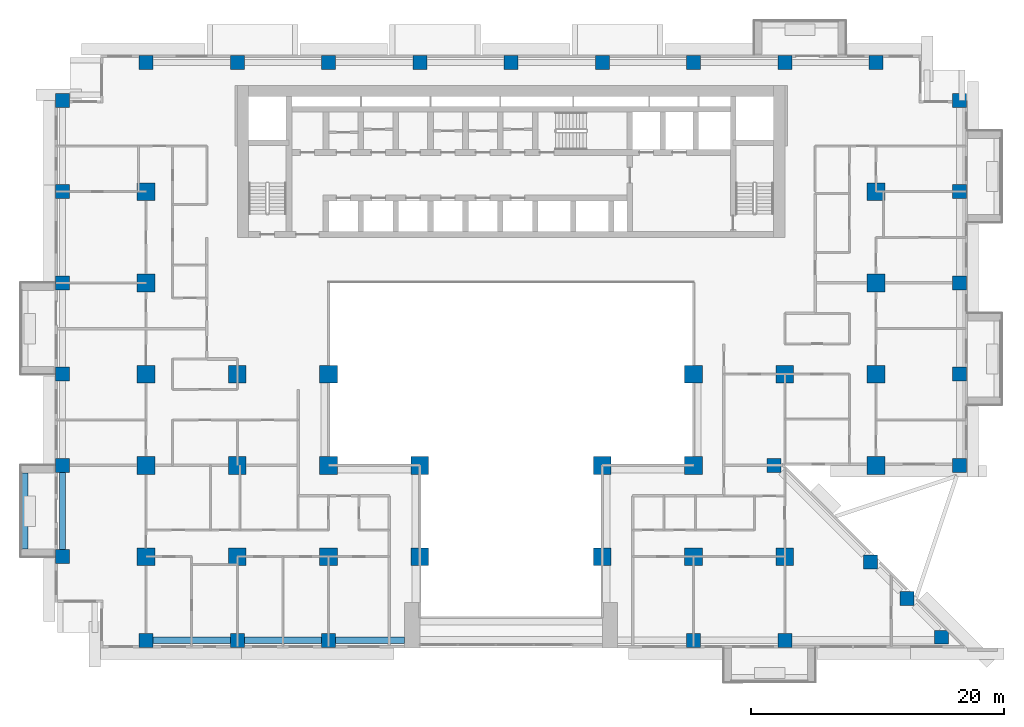
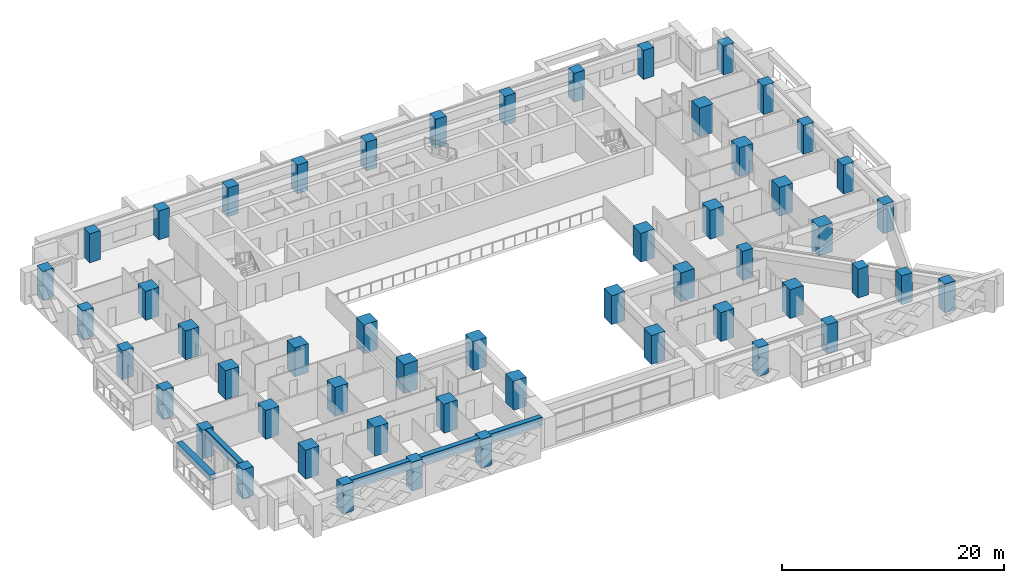
# One storey, part 1 of 16: 53 columns, 5 beams.
"""IFC4 building model written with IfcOpenShell, lengths in metres."""

from ifc_helpers import new_model, si_unit, direction, frame, origin, origin_2d, place, context, subcontext, project, spatial, rectangle, extrude, source, transform, mapped, material, material_profile, profile_set, type_object, element, save


model = new_model("IFC4")

# Units and contexts
model_context = context("Model", 3, precision=1e-05, world=origin(), true_north=direction((0.0, 1.0)))
body_context = subcontext(model_context, "Body", "Model", "MODEL_VIEW")
ifc_project = project(units=[si_unit("LENGTHUNIT", "METRE"), si_unit("AREAUNIT", "SQUARE_METRE"), si_unit("VOLUMEUNIT", "CUBIC_METRE"), si_unit("PLANEANGLEUNIT", "RADIAN"), si_unit("MASSUNIT", "GRAM", prefix="KILO")], contexts=[model_context])

# Site, building, storey
site_placement = place(None, origin())
site = spatial("IfcSite", under=ifc_project, at=site_placement, CompositionType="ELEMENT")
building_placement = place(site_placement, origin())
building = spatial("IfcBuilding", under=site, at=building_placement, Name="Saffron Iwan Residences", CompositionType="ELEMENT")
storey_placement = place(building_placement, frame((0.0, 0.0, 48.0)))
storey = spatial("IfcBuildingStorey", under=building, at=storey_placement, Name="L11", CompositionType="ELEMENT", Elevation=48.0)

# Columns
ifc_material_1 = material(Name="Concrete C60/75", Category="concrete")
ifc_material_profile_1 = material_profile(ifc_material_1, rectangle(XDim=1.10009765625, YDim=1.10009765625, at=origin_2d()), Name="RC 1100x1100")
ifc_profile_set_1 = profile_set([ifc_material_profile_1], Name="Concrete C60/75")
column_type_1 = type_object("IfcColumnType", Name="COL RC 1100x1100 C60/75 3180 HIGH", PredefinedType="COLUMN", material=ifc_profile_set_1)
shared_shape_1 = source(origin(), body_context, "Body", "SweptSolid", [
    extrude(rectangle(XDim=1.10009765625, YDim=1.10009765625, at=origin_2d()), origin(), (0.0, 0.0, 1.0), 3.179931640625),
])
for number, where, z_axis, x_axis, name in (
    (1, (21.60009765625, 34.199951171875, 0.0), (0.0, 0.0, 1.0), (1.0, 0.0, 0.0), "Column C038"),
    (2, (28.800048828125, 34.199951171875, 0.0), (0.0, 0.0, 1.0), (1.0, 0.0, 0.0), "Column C039"),
    (3, (36.0, 34.199951171875, 0.0), (0.0, 0.0, 1.0), (1.0, 0.0, 0.0), "Column C040"),
    (4, (64.800048828125, 34.199951171875, 0.0), (0.0, 0.0, 1.0), (1.0, 0.0, 0.0), "Column C041"),
    (5, (72.0, 34.199951171875, 0.0), (0.0, 0.0, 1.0), (1.0, 0.0, 0.0), "Column C042"),
    (6, (84.367431640625, 34.44189453125, 0.0), (0.0, 0.0, 1.0), (1.0, 0.0, 0.0), "Column C043"),
    (7, (81.65576171875, 37.49560546875, 0.0), (0.0, 0.0, 1.0), (1.0, 0.0, 0.0), "Column C044"),
    (8, (78.775634765625, 40.375732421875, 0.0), (0.0, 0.0, 1.0), (1.0, 0.0, 0.0), "Column C047"),
    (9, (15.0, 40.800048828125, 0.0), (0.0, 0.0, 1.0), (1.0, 0.0, 0.0), "Column C048"),
    (10, (15.0, 48.0, 0.0), (0.0, 0.0, 1.0), (1.0, 0.0, 0.0), "Column C061"),
    (11, (71.14990234375, 48.0, 0.0), (0.0, 0.0, 1.0), (1.0, 0.0, 0.0), "Column C070"),
    (12, (85.800048828125, 48.0, 0.0), (0.0, 0.0, 1.0), (1.0, 0.0, 0.0), "Column C074"),
    (13, (15.0, 55.199951171875, 0.0), (0.0, 0.0, 1.0), (1.0, 0.0, 0.0), "Column C077"),
    (14, (85.800048828125, 55.199951171875, 0.0), (0.0, 0.0, 1.0), (1.0, 0.0, 0.0), "Column C086"),
    (15, (15.0, 62.39990234375, 0.0), (0.0, 0.0, 1.0), (1.0, 0.0, 0.0), "Column C089"),
    (16, (85.800048828125, 62.39990234375, 0.0), (0.0, 0.0, 1.0), (1.0, 0.0, 0.0), "Column C094"),
    (17, (15.0, 69.60009765625, 0.0), (0.0, 0.0, 1.0), (1.0, 0.0, 0.0), "Column C097"),
    (18, (85.800048828125, 69.60009765625, 0.0), (0.0, 0.0, 1.0), (1.0, 0.0, 0.0), "Column C102"),
    (19, (15.0, 76.800048828125, 0.0), (0.0, 0.0, 1.0), (1.0, 0.0, 0.0), "Column C105"),
    (20, (85.800048828125, 76.800048828125, 0.0), (0.0, 0.0, 1.0), (1.0, 0.0, 0.0), "Column C110"),
    (21, (21.60009765625, 79.800048828125, 0.0), (0.0, 0.0, 1.0), (1.0, 0.0, 0.0), "Column C113"),
    (22, (28.800048828125, 79.800048828125, 0.0), (0.0, 0.0, 1.0), (1.0, 0.0, 0.0), "Column C115"),
    (23, (36.0, 79.800048828125, 0.0), (0.0, 0.0, 1.0), (1.0, 0.0, 0.0), "Column C116"),
    (24, (43.199951171875, 79.800048828125, 0.0), (0.0, 0.0, 1.0), (1.0, 0.0, 0.0), "Column C117"),
    (25, (50.39990234375, 79.800048828125, 0.0), (0.0, 0.0, 1.0), (1.0, 0.0, 0.0), "Column C118"),
    (26, (57.60009765625, 79.800048828125, 0.0), (0.0, 0.0, 1.0), (1.0, 0.0, 0.0), "Column C119"),
    (27, (64.800048828125, 79.800048828125, 0.0), (0.0, 0.0, 1.0), (1.0, 0.0, 0.0), "Column C120"),
    (28, (72.0, 79.800048828125, 0.0), (0.0, 0.0, 1.0), (1.0, 0.0, 0.0), "Column C121"),
    (29, (79.199951171875, 79.800048828125, 0.0), (0.0, 0.0, 1.0), (1.0, 0.0, 0.0), "Column C123"),
):
    element("IfcColumn", number, at=place(storey_placement, frame(where, z_axis=z_axis, x_axis=x_axis)), inside=storey, type_object=column_type_1, Name=name, PredefinedType="COLUMN", context=body_context, shape_type="MappedRepresentation", body=[
        mapped(shared_shape_1, transform((0.0, 0.0, 0.0))),
    ])
ifc_material_profile_2 = material_profile(ifc_material_1, rectangle(XDim=1.39990234375, YDim=1.39990234375, at=origin_2d()), Name="RC 1400x1400")
ifc_profile_set_2 = profile_set([ifc_material_profile_2], Name="Concrete C60/75")
column_type_2 = type_object("IfcColumnType", Name="COL RC 1400x1400 C60/75 3180 HIGH", PredefinedType="COLUMN", material=ifc_profile_set_2)
shared_shape_2 = source(origin(), body_context, "Body", "SweptSolid", [
    extrude(rectangle(XDim=1.39990234375, YDim=1.39990234375, at=origin_2d()), origin(), (0.0, 0.0, 1.0), 3.179931640625),
])
for number, where, z_axis, x_axis, name in (
    (30, (21.60009765625, 40.800048828125, 0.0), (0.0, 0.0, 1.0), (1.0, 0.0, 0.0), "Column C049"),
    (31, (28.800048828125, 40.800048828125, 0.0), (0.0, 0.0, 1.0), (1.0, 0.0, 0.0), "Column C051"),
    (32, (36.0, 40.800048828125, 0.0), (0.0, 0.0, 1.0), (1.0, 0.0, 0.0), "Column C052"),
    (33, (43.199951171875, 40.800048828125, 0.0), (0.0, 0.0, 1.0), (1.0, 0.0, 0.0), "Column C053"),
    (34, (57.60009765625, 40.800048828125, 0.0), (0.0, 0.0, 1.0), (1.0, 0.0, 0.0), "Column C054"),
    (35, (64.800048828125, 40.800048828125, 0.0), (0.0, 0.0, 1.0), (1.0, 0.0, 0.0), "Column C055"),
    (36, (72.0, 40.800048828125, 0.0), (0.0, 0.0, 1.0), (1.0, 0.0, 0.0), "Column C056"),
    (37, (21.60009765625, 48.0, 0.0), (0.0, 0.0, 1.0), (1.0, 0.0, 0.0), "Column C063"),
    (38, (28.800048828125, 48.0, 0.0), (0.0, 0.0, 1.0), (1.0, 0.0, 0.0), "Column C064"),
    (39, (36.0, 48.0, 0.0), (0.0, 0.0, 1.0), (1.0, 0.0, 0.0), "Column C065"),
    (40, (43.199951171875, 48.0, 0.0), (0.0, 0.0, 1.0), (1.0, 0.0, 0.0), "Column C066"),
    (41, (57.60009765625, 48.0, 0.0), (0.0, 0.0, 1.0), (1.0, 0.0, 0.0), "Column C068"),
    (42, (64.800048828125, 48.0, 0.0), (0.0, 0.0, 1.0), (1.0, 0.0, 0.0), "Column C069"),
    (43, (79.199951171875, 48.0, 0.0), (0.0, 0.0, 1.0), (1.0, 0.0, 0.0), "Column C072"),
    (44, (21.60009765625, 55.199951171875, 0.0), (0.0, 0.0, 1.0), (1.0, 0.0, 0.0), "Column C079"),
    (45, (28.800048828125, 55.199951171875, 0.0), (0.0, 0.0, 1.0), (1.0, 0.0, 0.0), "Column C080"),
    (46, (36.0, 55.199951171875, 0.0), (0.0, 0.0, 1.0), (1.0, 0.0, 0.0), "Column C081"),
    (47, (64.800048828125, 55.199951171875, 0.0), (0.0, 0.0, 1.0), (1.0, 0.0, 0.0), "Column C082"),
    (48, (72.0, 55.199951171875, 0.0), (0.0, 0.0, 1.0), (1.0, 0.0, 0.0), "Column C083"),
    (49, (79.199951171875, 55.199951171875, 0.0), (0.0, 0.0, 1.0), (1.0, 0.0, 0.0), "Column C084"),
    (50, (21.60009765625, 62.39990234375, 0.0), (0.0, 0.0, 1.0), (1.0, 0.0, 0.0), "Column C091"),
    (51, (79.199951171875, 62.39990234375, 0.0), (0.0, 0.0, 1.0), (1.0, 0.0, 0.0), "Column C092"),
    (52, (21.60009765625, 69.60009765625, 0.0), (0.0, 0.0, 1.0), (1.0, 0.0, 0.0), "Column C099"),
    (53, (79.199951171875, 69.60009765625, 0.0), (0.0, 0.0, 1.0), (1.0, 0.0, 0.0), "Column C100"),
):
    element("IfcColumn", number, at=place(storey_placement, frame(where, z_axis=z_axis, x_axis=x_axis)), inside=storey, type_object=column_type_2, Name=name, PredefinedType="COLUMN", context=body_context, shape_type="MappedRepresentation", body=[
        mapped(shared_shape_2, transform((0.0, 0.0, 0.0))),
    ])

# Beams
ifc_material_profile_3 = material_profile(ifc_material_1, rectangle(XDim=0.5, YDim=0.89990234375, at=origin_2d()), Name="RC 500x900")
ifc_profile_set_3 = profile_set([ifc_material_profile_3], Name="Concrete C60/75")
beam_type_1 = type_object("IfcBeamType", Name="SPANDREL BEAM RC 500x900 C60/75 TOP 3180", PredefinedType="SPANDREL", material=ifc_profile_set_3)
shared_shape_3 = source(origin(), body_context, "Body", "SweptSolid", [
    extrude(rectangle(XDim=0.5, YDim=0.89990234375, at=origin_2d()), origin(), (0.0, 0.0, 1.0), 6.10009765625),
])
beam_1_placement = place(storey_placement, frame((28.25, 34.199951171875, 2.72998046875), z_axis=(-1.0, 0.0, 0.0), x_axis=(0.0, -1.0, 0.0)))
element("IfcBeam", 54, at=beam_1_placement, inside=storey, type_object=beam_type_1, Name="Spandrel beam", PredefinedType="SPANDREL", context=body_context, shape_type="MappedRepresentation", body=[
    mapped(shared_shape_3, transform((0.0, 0.0, 0.0))),
])
shared_shape_4 = source(origin(), body_context, "Body", "SweptSolid", [
    extrude(rectangle(XDim=0.5, YDim=0.89990234375, at=origin_2d()), origin(), (0.0, 0.0, 1.0), 6.099853515625),
])
for number, where, z_axis, x_axis, name in (
    (55, (35.449951171875, 34.199951171875, 2.72998046875), (-1.0, 0.0, 0.0), (0.0, -1.0, 0.0), "Spandrel beam"),
    (56, (15.0, 41.35009765625, 2.72998046875), (0.0, 1.0, 0.0), (-1.0, 0.0, 0.0), "Spandrel beam"),
):
    element("IfcBeam", number, at=place(storey_placement, frame(where, z_axis=z_axis, x_axis=x_axis)), inside=storey, type_object=beam_type_1, Name=name, PredefinedType="SPANDREL", context=body_context, shape_type="MappedRepresentation", body=[
        mapped(shared_shape_4, transform((0.0, 0.0, 0.0))),
    ])
shared_shape_5 = source(origin(), body_context, "Body", "SweptSolid", [
    extrude(rectangle(XDim=0.5, YDim=0.89990234375, at=origin_2d()), origin(), (0.0, 0.0, 1.0), 5.449951171875),
])
beam_2_placement = place(storey_placement, frame((42.0, 34.199951171875, 2.72998046875), z_axis=(-1.0, 0.0, 0.0), x_axis=(0.0, -1.0, 0.0)))
element("IfcBeam", 57, at=beam_2_placement, inside=storey, type_object=beam_type_1, Name="Spandrel beam", PredefinedType="SPANDREL", context=body_context, shape_type="MappedRepresentation", body=[
    mapped(shared_shape_5, transform((0.0, 0.0, 0.0))),
])
ifc_material_2 = material(Name="Concrete C50/60 white painted", Category="concrete")
ifc_material_profile_4 = material_profile(ifc_material_2, rectangle(XDim=0.60009765625, YDim=0.60009765625, at=origin_2d()), Name="BALCONY FASCIA BEAM 600 x 600")
ifc_profile_set_4 = profile_set([ifc_material_profile_4], Name="Concrete C50/60 white painted")
beam_type_2 = type_object("IfcBeamType", Name="BALCONY FASCIA BEAM 600 x 600", PredefinedType="BEAM", material=ifc_profile_set_4)
shared_shape_6 = source(origin(), body_context, "Body", "SweptSolid", [
    extrude(rectangle(XDim=0.60009765625, YDim=0.60009765625, at=origin_2d()), origin(), (0.0, 0.0, 1.0), 6.0),
])
beam_3_placement = place(storey_placement, frame((12.0, 47.39990234375, 2.550048828125), z_axis=(0.0, -1.0, 0.0), x_axis=(1.0, 0.0, 0.0)))
element("IfcBeam", 58, at=beam_3_placement, inside=storey, type_object=beam_type_2, Name="Balcony fascia beam L11 F8-1", PredefinedType="BEAM", context=body_context, shape_type="MappedRepresentation", body=[
    mapped(shared_shape_6, transform((0.0, 0.0, 0.0))),
])

save(model, "model.ifc")
